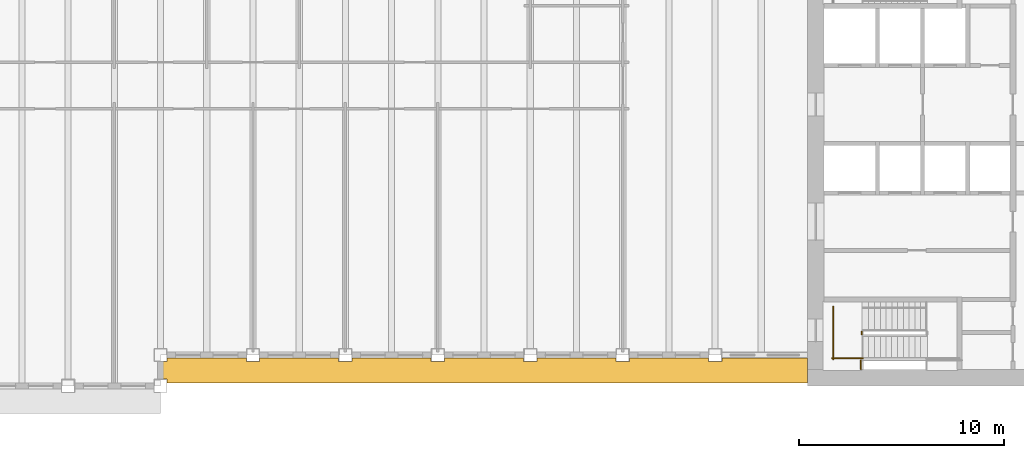
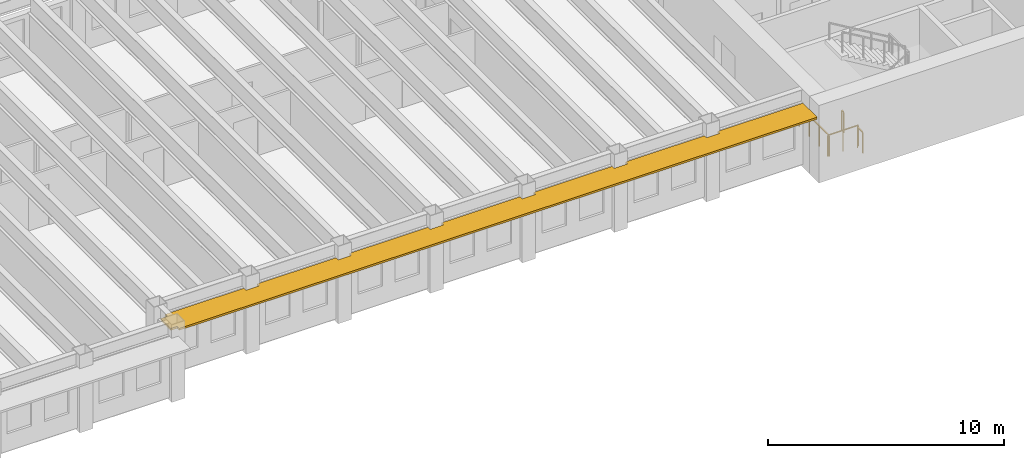
# One storey, part 9 of 12: 4 railings, 1 shading device.
"""IFC4 building model written with IfcOpenShell, lengths in metres."""

from ifc_helpers import new_model, si_unit, direction, frame, origin, origin_2d, place, context, subcontext, project, spatial, polyline, rectangle, outline, extrude, material, layer, layer_set, type_object, element, save


model = new_model("IFC4")

# Units and contexts
model_context = context("Model", 3, precision=1e-05, world=origin(), true_north=direction((0.0, 1.0)))
body_context = subcontext(model_context, "Body", "Model", "MODEL_VIEW")
ifc_project = project(units=[si_unit("LENGTHUNIT", "METRE"), si_unit("AREAUNIT", "SQUARE_METRE"), si_unit("VOLUMEUNIT", "CUBIC_METRE"), si_unit("PLANEANGLEUNIT", "RADIAN"), si_unit("MASSUNIT", "GRAM", prefix="KILO")], contexts=[model_context])

# Site, building, storey
site_placement = place(None, origin())
site = spatial("IfcSite", under=ifc_project, at=site_placement, CompositionType="ELEMENT")
building_placement = place(site_placement, origin())
building = spatial("IfcBuilding", under=site, at=building_placement, Name="Sennacour Bend Tower", CompositionType="ELEMENT")
storey_placement = place(building_placement, frame((0.0, 0.0, 281.0)))
storey = spatial("IfcBuildingStorey", under=building, at=storey_placement, Name="L65", CompositionType="ELEMENT", Elevation=281.0)

# Railings
ifc_material_1 = material(Name="Stainless steel", Category="steel")
railing_type = type_object("IfcRailingType", Name="RL-GUARD-1100", PredefinedType="GUARDRAIL", material=ifc_material_1)
railing_1_placement = place(storey_placement, frame((56.64990234375, 2.5, 0.0)))
element("IfcRailing", 1, at=railing_1_placement, inside=storey, type_object=railing_type, Name="L65 SA1 stair guard 5", PredefinedType="GUARDRAIL", context=body_context, shape_type="SweptSolid", body=[
    extrude(rectangle(XDim=0.048095703125, YDim=0.048095703125, at=origin_2d()), frame((0.0, 0.0, 1.076171875), z_axis=(0.0, 1.0, 0.0), x_axis=(-1.0, 0.0, 0.0)), (0.0, 0.0, 1.0), 0.14990234375),
    extrude(rectangle(XDim=0.0419921875, YDim=0.0419921875, at=origin_2d()), origin(), (0.0, 0.0, 1.0), 1.052001953125),
    extrude(rectangle(XDim=0.0419921875, YDim=0.0419921875, at=origin_2d()), frame((0.0, 0.14990234375, 0.0)), (0.0, 0.0, 1.0), 1.052001953125),
])
railing_2_placement = place(storey_placement, frame((55.199951171875, 1.35009765625, 0.0)))
element("IfcRailing", 2, at=railing_2_placement, inside=storey, type_object=railing_type, Name="L65 SA1 stair guard 6", PredefinedType="GUARDRAIL", context=body_context, shape_type="SweptSolid", body=[
    extrude(rectangle(XDim=0.048095703125, YDim=0.048095703125, at=origin_2d()), frame((0.0, 0.0, 1.076171875), z_axis=(1.0, 0.0, 0.0), x_axis=(0.0, 1.0, 0.0)), (0.0, 0.0, 1.0), 1.5),
    extrude(rectangle(XDim=0.0419921875, YDim=0.0419921875, at=origin_2d()), origin(), (0.0, 0.0, 1.0), 1.052001953125),
    extrude(rectangle(XDim=0.0419921875, YDim=0.0419921875, at=origin_2d()), frame((0.75, 0.0, 0.0)), (0.0, 0.0, 1.0), 1.052001953125),
    extrude(rectangle(XDim=0.0419921875, YDim=0.0419921875, at=origin_2d()), frame((1.5, 0.0, 0.0)), (0.0, 0.0, 1.0), 1.052001953125),
])
railing_3_placement = place(storey_placement, frame((55.25, 1.300048828125, 0.0)))
element("IfcRailing", 3, at=railing_3_placement, inside=storey, type_object=railing_type, Name="L65 SA1 stair guard 7", PredefinedType="GUARDRAIL", context=body_context, shape_type="SweptSolid", body=[
    extrude(rectangle(XDim=0.048095703125, YDim=0.048095703125, at=origin_2d()), frame((0.0, 0.0, 1.076171875), z_axis=(0.0, 1.0, 0.0), x_axis=(-1.0, 0.0, 0.0)), (0.0, 0.0, 1.0), 2.550048828125),
    extrude(rectangle(XDim=0.0419921875, YDim=0.0419921875, at=origin_2d()), origin(), (0.0, 0.0, 1.0), 1.052001953125),
    extrude(rectangle(XDim=0.0419921875, YDim=0.0419921875, at=origin_2d()), frame((0.0, 0.85009765625, 0.0)), (0.0, 0.0, 1.0), 1.052001953125),
    extrude(rectangle(XDim=0.0419921875, YDim=0.0419921875, at=origin_2d()), frame((0.0, 1.699951171875, 0.0)), (0.0, 0.0, 1.0), 1.052001953125),
    extrude(rectangle(XDim=0.0419921875, YDim=0.0419921875, at=origin_2d()), frame((0.0, 2.550048828125, 0.0)), (0.0, 0.0, 1.0), 1.052001953125),
])
railing_4_placement = place(storey_placement, frame((56.60009765625, 1.25, 0.0)))
element("IfcRailing", 4, at=railing_4_placement, inside=storey, type_object=railing_type, Name="L65 SA1 landing edge guard 152", PredefinedType="GUARDRAIL", context=body_context, shape_type="SweptSolid", body=[
    extrude(rectangle(XDim=0.048095703125, YDim=0.048095703125, at=origin_2d()), frame((0.0, 0.0, 1.076171875), z_axis=(0.0, -1.0, 0.0), x_axis=(1.0, 0.0, 0.0)), (0.0, 0.0, 1.0), 0.449951171875),
    extrude(rectangle(XDim=0.0419921875, YDim=0.0419921875, at=origin_2d()), origin(), (0.0, 0.0, 1.0), 1.052001953125),
    extrude(rectangle(XDim=0.0419921875, YDim=0.0419921875, at=origin_2d()), frame((0.0, -0.449951171875, 0.0)), (0.0, 0.0, 1.0), 1.052001953125),
])

# Shading device
ifc_material_2 = material(Name="Bronze anodised aluminium", Category="aluminium")
ifc_layer = layer(ifc_material_2, 0.10009765625, Name="Bronze anodised aluminium", Category="aluminium")
ifc_layer_set = layer_set([ifc_layer], Name="Bronze anodised aluminium")
shading_device_type = type_object("IfcShadingDeviceType", Name="SUNSHADE BAND STRAIGHT", PredefinedType="USERDEFINED", material=ifc_layer_set)
shading_device_placement = place(storey_placement, frame((0.0, 0.0, 3.06201171875)))
element("IfcShadingDevice", 5, at=shading_device_placement, inside=storey, type_object=shading_device_type, Name="Sunshade band L65 A outer face", ObjectType="SUNSHADE", PredefinedType="USERDEFINED", context=body_context, shape_type="SweptSolid", body=[
    extrude(outline(polyline([(26.675048828125, 1.35009765625), (26.675048828125, 1.175048828125), (27.324951171875, 1.175048828125), (27.324951171875, 1.35009765625), (31.175048828125, 1.35009765625), (31.175048828125, 1.175048828125), (31.824951171875, 1.175048828125), (31.824951171875, 1.35009765625), (35.675048828125, 1.35009765625), (35.675048828125, 1.175048828125), (36.324951171875, 1.175048828125), (36.324951171875, 1.35009765625), (40.175048828125, 1.35009765625), (40.175048828125, 1.175048828125), (40.824951171875, 1.175048828125), (40.824951171875, 1.35009765625), (44.675048828125, 1.35009765625), (44.675048828125, 1.175048828125), (45.324951171875, 1.175048828125), (45.324951171875, 1.35009765625), (49.175048828125, 1.35009765625), (49.175048828125, 1.175048828125), (49.824951171875, 1.175048828125), (49.824951171875, 1.35009765625), (54.0, 1.35009765625), (54.0, 0.14990234375), (22.824951171875, 0.14990234375), (22.824951171875, 0.324951171875), (22.5, 0.324951171875), (22.5, 1.175048828125), (22.824951171875, 1.175048828125), (22.824951171875, 1.35009765625), (26.675048828125, 1.35009765625)])), origin(), (0.0, 0.0, 1.0), 0.10009765625),
])

save(model, "model.ifc")
